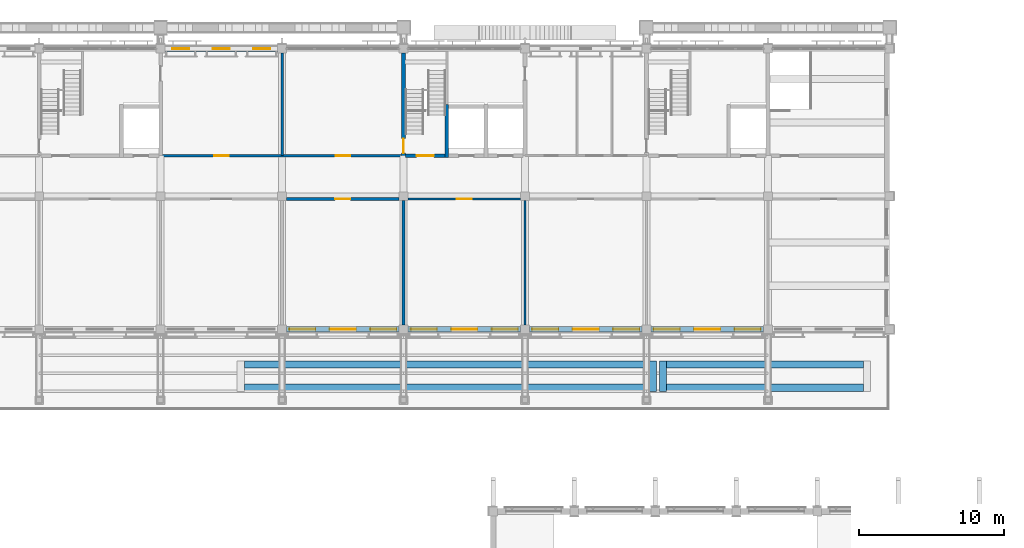
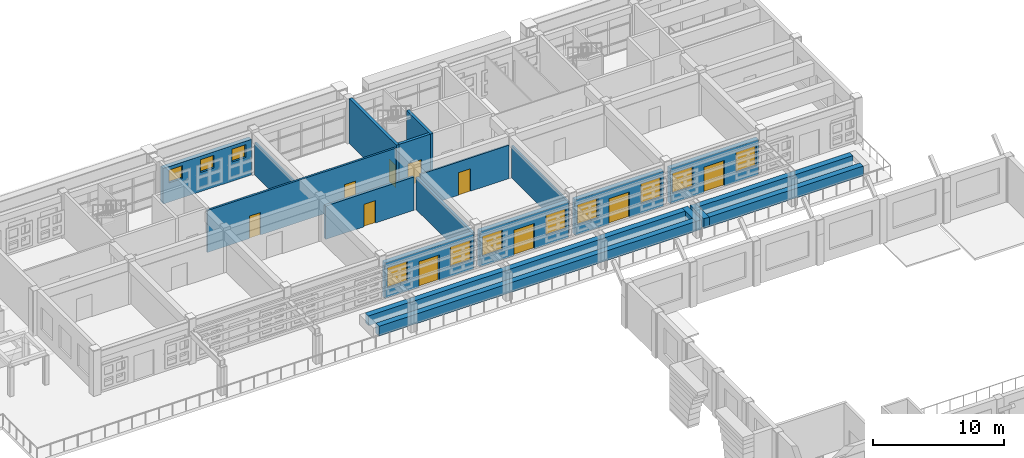
# One storey, part 29 of 68: 20 walls, 11 windows, 10 doors, 21 openings.
"""IFC4 building model written with IfcOpenShell, lengths in metres."""

from ifc_helpers import new_model, si_unit, direction, frame, frame_2d, origin, place, context, subcontext, project, spatial, rectangle, extrude, material, layer, layer_set, type_object, element, fill, save


model = new_model("IFC4")

# Units and contexts
model_context = context("Model", 3, precision=1e-05, world=origin(), true_north=direction((0.0, 1.0)))
body_context = subcontext(model_context, "Body", "Model", "MODEL_VIEW")
ifc_project = project(units=[si_unit("LENGTHUNIT", "METRE"), si_unit("AREAUNIT", "SQUARE_METRE"), si_unit("VOLUMEUNIT", "CUBIC_METRE"), si_unit("PLANEANGLEUNIT", "RADIAN"), si_unit("MASSUNIT", "GRAM", prefix="KILO")], contexts=[model_context])

# Site, building, storey
site_placement = place(None, origin())
site = spatial("IfcSite", under=ifc_project, at=site_placement, CompositionType="ELEMENT")
building_placement = place(site_placement, origin())
building = spatial("IfcBuilding", under=site, at=building_placement, Name="Wasatch Bagh Community Centre", CompositionType="ELEMENT")
storey_placement = place(building_placement, frame((0.0, 0.0, 8.39990234375)))
storey = spatial("IfcBuildingStorey", under=building, at=storey_placement, Name="L02", CompositionType="ELEMENT", Elevation=8.39990234375)

# Wall, opening, door
ifc_material_1 = material(Name="Double stud acoustic partition", Category="Gypsum")
ifc_layer_1 = layer(ifc_material_1, 0.215087890625)
ifc_layer_set_1 = layer_set([ifc_layer_1], Name="Double stud acoustic partition")
wall_type_1 = type_object("IfcWallType", Name="LW acoustic partition 215", PredefinedType="PARTITIONING", material=ifc_layer_set_1)
wall_1_placement = place(storey_placement, frame((97.89990234375, 87.39990234375, 0.0), z_axis=(0.0, 0.0, 1.0), x_axis=(1.0, 0.0, 0.0)))
wall_1 = element("IfcWall", 1, at=wall_1_placement, inside=storey, type_object=wall_type_1, Name="LW.part.L02.001", PredefinedType="PARTITIONING", context=body_context, shape_type="SweptSolid", body=[
    extrude(rectangle(XDim=7.800048828125, YDim=0.215087890625, at=frame_2d((3.89990234375, 0.0))), origin(), (0.0, 0.0, 1.0), 3.1201171875),
])
opening_1_placement = place(wall_1_placement, frame((3.375, 0.0, 0.0)))
opening_1 = element("IfcOpeningElement", 2, at=opening_1_placement, cuts=wall_1, Name="Opening 2L-12", PredefinedType="OPENING", context=body_context, shape_type="SweptSolid", body=[
    extrude(rectangle(XDim=1.050048828125, YDim=2.10009765625, at=frame_2d((0.52490234375, 1.050048828125))), frame((0.0, 0.117431640625, 0.0), z_axis=(0.0, -1.0, 0.0), x_axis=(1.0, 0.0, 0.0)), (0.0, 0.0, 1.0), 0.235107421875),
])
ifc_material_2 = material(Name="Painted timber", Category="wood")
door_type_1 = type_object("IfcDoorType", Name="LW classroom door 1050x2100", OperationType="SINGLE_SWING_LEFT", PredefinedType="DOOR", material=ifc_material_2)
door_1_placement = place(opening_1_placement, origin())
door_1 = element("IfcDoor", 3, at=door_1_placement, inside=storey, type_object=door_type_1, Name="Door Recording Studio 2L-12", OperationType="SINGLE_SWING_RIGHT", OverallHeight=2.10009765625, OverallWidth=1.050048828125, PredefinedType="DOOR", context=body_context, shape_type="SweptSolid", body=[
    extrude(rectangle(XDim=1.050048828125, YDim=2.10009765625, at=frame_2d((0.52490234375, 1.050048828125))), frame((0.0, 0.02490234375, 0.0), z_axis=(0.0, -1.0, 0.0), x_axis=(1.0, 0.0, 0.0)), (0.0, 0.0, 1.0), 0.050048828125),
])
fill(opening_1, door_1)

# Wall
wall_2_placement = place(storey_placement, frame((106.0, 78.699951171875, 0.0), z_axis=(0.0, 0.0, 1.0), x_axis=(0.0, 1.0, 0.0)))
element("IfcWall", 4, at=wall_2_placement, inside=storey, type_object=wall_type_1, Name="LW.part.L02.016", PredefinedType="PARTITIONING", context=body_context, shape_type="SweptSolid", body=[
    extrude(rectangle(XDim=8.60009765625, YDim=0.215087890625, at=frame_2d((4.300048828125, 0.0))), origin(), (0.0, 0.0, 1.0), 3.02001953125),
])

# Wall, opening, door
ifc_material_3 = material(Name="Concrete C40", Category="concrete")
ifc_layer_2 = layer(ifc_material_3, 0.25)
ifc_layer_set_2 = layer_set([ifc_layer_2], Name="Concrete C40")
wall_type_2 = type_object("IfcWallType", Name="LW core wall 250", PredefinedType="SHEAR", material=ifc_layer_set_2)
wall_3_placement = place(storey_placement, frame((106.125, 90.39990234375, 0.0), z_axis=(0.0, 0.0, 1.0), x_axis=(1.0, 0.0, 0.0)))
wall_3 = element("IfcWall", 5, at=wall_3_placement, inside=storey, type_object=wall_type_2, Name="LW.swall.L02.03", PredefinedType="SHEAR", context=body_context, shape_type="SweptSolid", body=[
    extrude(rectangle(XDim=2.75, YDim=0.25, at=frame_2d((1.375, 0.0))), origin(), (0.0, 0.0, 1.0), 4.2001953125),
])
opening_2_placement = place(wall_3_placement, frame((0.77490234375, 0.0, 0.0)))
opening_2 = element("IfcOpeningElement", 6, at=opening_2_placement, cuts=wall_3, Name="Opening 2L-30", PredefinedType="OPENING", context=body_context, shape_type="SweptSolid", body=[
    extrude(rectangle(XDim=1.199951171875, YDim=2.10009765625, at=frame_2d((0.60009765625, 1.050048828125))), frame((0.0, 0.135009765625, 0.0), z_axis=(0.0, -1.0, 0.0), x_axis=(1.0, 0.0, 0.0)), (0.0, 0.0, 1.0), 0.27001953125),
])
door_type_2 = type_object("IfcDoorType", Name="LW stair door 1200x2100", OperationType="SINGLE_SWING_LEFT", PredefinedType="DOOR", material=ifc_material_2)
door_2_placement = place(opening_2_placement, origin())
door_2 = element("IfcDoor", 7, at=door_2_placement, inside=storey, type_object=door_type_2, Name="Stair door 2L-30", OperationType="SINGLE_SWING_RIGHT", OverallHeight=2.10009765625, OverallWidth=1.199951171875, PredefinedType="DOOR", context=body_context, shape_type="SweptSolid", body=[
    extrude(rectangle(XDim=1.199951171875, YDim=2.10009765625, at=frame_2d((0.60009765625, 1.050048828125))), frame((0.0, 0.02490234375, 0.0), z_axis=(0.0, -1.0, 0.0), x_axis=(1.0, 0.0, 0.0)), (0.0, 0.0, 1.0), 0.050048828125),
])
fill(opening_2, door_2)

wall_4_placement = place(storey_placement, frame((106.0, 90.27490234375, 0.0), z_axis=(0.0, 0.0, 1.0), x_axis=(0.0, 1.0, 0.0)))
wall_4 = element("IfcWall", 8, at=wall_4_placement, inside=storey, type_object=wall_type_2, Name="LW.swall.L02.18", PredefinedType="SHEAR", context=body_context, shape_type="SweptSolid", body=[
    extrude(rectangle(XDim=7.22509765625, YDim=0.25, at=frame_2d((3.612548828125, 0.0))), origin(), (0.0, 0.0, 1.0), 4.2001953125),
])
opening_3_placement = place(wall_4_placement, frame((0.300048828125, 0.0, 0.0)))
opening_3 = element("IfcOpeningElement", 9, at=opening_3_placement, cuts=wall_4, Name="Opening 2L-22", PredefinedType="OPENING", context=body_context, shape_type="SweptSolid", body=[
    extrude(rectangle(XDim=1.0, YDim=2.10009765625, at=frame_2d((0.5, 1.050048828125))), frame((0.0, 0.135009765625, 0.0), z_axis=(0.0, -1.0, 0.0), x_axis=(1.0, 0.0, 0.0)), (0.0, 0.0, 1.0), 0.27001953125),
])
door_type_3 = type_object("IfcDoorType", Name="LW door 1000x2100", OperationType="SINGLE_SWING_LEFT", PredefinedType="DOOR", material=ifc_material_2)
door_3_placement = place(opening_3_placement, origin())
door_3 = element("IfcDoor", 10, at=door_3_placement, inside=storey, type_object=door_type_3, Name="Door Quiet Study Room 2L-22", OperationType="SINGLE_SWING_RIGHT", OverallHeight=2.10009765625, OverallWidth=1.0, PredefinedType="DOOR", context=body_context, shape_type="SweptSolid", body=[
    extrude(rectangle(XDim=1.0, YDim=2.10009765625, at=frame_2d((0.5, 1.050048828125))), frame((0.0, 0.02490234375, 0.0), z_axis=(0.0, -1.0, 0.0), x_axis=(1.0, 0.0, 0.0)), (0.0, 0.0, 1.0), 0.050048828125),
])
fill(opening_3, door_3)

# Wall
wall_5_placement = place(storey_placement, frame((109.0, 90.27490234375, 0.0), z_axis=(0.0, 0.0, 1.0), x_axis=(0.0, 1.0, 0.0)))
element("IfcWall", 11, at=wall_5_placement, inside=storey, type_object=wall_type_2, Name="LW.swall.L02.19", PredefinedType="SHEAR", context=body_context, shape_type="SweptSolid", body=[
    extrude(rectangle(XDim=3.650146484375, YDim=0.25, at=frame_2d((1.8251953125, 0.0))), origin(), (0.0, 0.0, 1.0), 4.2001953125),
])

# Wall, openings, door, windows
ifc_material_4 = material(Name="Concrete C35", Category="concrete")
ifc_layer_3 = layer(ifc_material_4, 0.39990234375)
ifc_layer_set_3 = layer_set([ifc_layer_3], Name="Concrete C35")
wall_type_3 = type_object("IfcWallType", Name="LW facade wall 400", PredefinedType="SOLIDWALL", material=ifc_layer_set_3)
wall_6_placement = place(storey_placement, frame((97.89990234375, 78.39990234375, 0.0), z_axis=(0.0, 0.0, 1.0), x_axis=(1.0, 0.0, 0.0)))
wall_6 = element("IfcWall", 12, at=wall_6_placement, inside=storey, type_object=wall_type_3, Name="Facade wall", PredefinedType="SOLIDWALL", context=body_context, shape_type="SweptSolid", body=[
    extrude(rectangle(XDim=7.800048828125, YDim=0.39990234375, at=frame_2d((3.89990234375, 0.0))), origin(), (0.0, 0.0, 1.0), 3.320068359375),
])
opening_4_placement = place(wall_6_placement, frame((3.0, 0.0, 0.0)))
opening_4 = element("IfcOpeningElement", 13, at=opening_4_placement, cuts=wall_6, Name="Opening 2L-04", PredefinedType="OPENING", context=body_context, shape_type="SweptSolid", body=[
    extrude(rectangle(XDim=1.800048828125, YDim=2.39990234375, at=frame_2d((0.89990234375, 1.199951171875))), frame((0.0, 0.2099609375, 0.0), z_axis=(0.0, -1.0, 0.0), x_axis=(1.0, 0.0, 0.0)), (0.0, 0.0, 1.0), 0.419921875),
])
opening_5_placement = place(wall_6_placement, frame((0.199951171875, 0.0, 0.89990234375)))
opening_5 = element("IfcOpeningElement", 14, at=opening_5_placement, cuts=wall_6, Name="Opening 2L-W007", PredefinedType="OPENING", context=body_context, shape_type="SweptSolid", body=[
    extrude(rectangle(XDim=1.800048828125, YDim=1.89990234375, at=frame_2d((0.89990234375, 0.949951171875))), frame((0.0, 0.2099609375, 0.0), z_axis=(0.0, -1.0, 0.0), x_axis=(1.0, 0.0, 0.0)), (0.0, 0.0, 1.0), 0.419921875),
])
opening_6_placement = place(wall_6_placement, frame((5.800048828125, 0.0, 0.89990234375)))
opening_6 = element("IfcOpeningElement", 15, at=opening_6_placement, cuts=wall_6, Name="Opening 2L-W008", PredefinedType="OPENING", context=body_context, shape_type="SweptSolid", body=[
    extrude(rectangle(XDim=1.800048828125, YDim=1.89990234375, at=frame_2d((0.89990234375, 0.949951171875))), frame((0.0, 0.2099609375, 0.0), z_axis=(0.0, -1.0, 0.0), x_axis=(1.0, 0.0, 0.0)), (0.0, 0.0, 1.0), 0.419921875),
])
ifc_material_5 = material(Name="Aluminium framed glazed door", Category="aluminium")
door_type_4 = type_object("IfcDoorType", Name="LW terrace door pair 1800x2400", OperationType="DOUBLE_DOOR_SINGLE_SWING", PredefinedType="DOOR", material=ifc_material_5)
door_4_placement = place(opening_4_placement, origin())
door_4 = element("IfcDoor", 16, at=door_4_placement, inside=storey, type_object=door_type_4, Name="Terrace door 2L-04", OperationType="DOUBLE_DOOR_SINGLE_SWING", OverallHeight=2.39990234375, OverallWidth=1.800048828125, PredefinedType="DOOR", context=body_context, shape_type="SweptSolid", body=[
    extrude(rectangle(XDim=1.800048828125, YDim=2.39990234375, at=frame_2d((0.89990234375, 1.199951171875))), frame((0.0, 0.02490234375, 0.0), z_axis=(0.0, -1.0, 0.0), x_axis=(1.0, 0.0, 0.0)), (0.0, 0.0, 1.0), 0.050048828125),
])
fill(opening_4, door_4)
ifc_material_6 = material(Name="Aluminium framed double glazing", Category="aluminium")
window_type_1 = type_object("IfcWindowType", Name="LW window 1800x1900", PartitioningType="SINGLE_PANEL", PredefinedType="WINDOW", material=ifc_material_6)
window_1_placement = place(opening_5_placement, origin())
window_1 = element("IfcWindow", 17, at=window_1_placement, inside=storey, type_object=window_type_1, Name="Window 2L-W007", OverallHeight=1.89990234375, OverallWidth=1.800048828125, PartitioningType="SINGLE_PANEL", PredefinedType="WINDOW", context=body_context, shape_type="SweptSolid", body=[
    extrude(rectangle(XDim=1.800048828125, YDim=1.89990234375, at=frame_2d((0.89990234375, 0.949951171875))), frame((0.0, 0.030029296875, 0.0), z_axis=(0.0, -1.0, 0.0), x_axis=(1.0, 0.0, 0.0)), (0.0, 0.0, 1.0), 0.06005859375),
])
fill(opening_5, window_1)
window_2_placement = place(opening_6_placement, origin())
window_2 = element("IfcWindow", 18, at=window_2_placement, inside=storey, type_object=window_type_1, Name="Window 2L-W008", OverallHeight=1.89990234375, OverallWidth=1.800048828125, PartitioningType="SINGLE_PANEL", PredefinedType="WINDOW", context=body_context, shape_type="SweptSolid", body=[
    extrude(rectangle(XDim=1.800048828125, YDim=1.89990234375, at=frame_2d((0.89990234375, 0.949951171875))), frame((0.0, 0.030029296875, 0.0), z_axis=(0.0, -1.0, 0.0), x_axis=(1.0, 0.0, 0.0)), (0.0, 0.0, 1.0), 0.06005859375),
])
fill(opening_6, window_2)

wall_7_placement = place(storey_placement, frame((106.300048828125, 78.39990234375, 0.0), z_axis=(0.0, 0.0, 1.0), x_axis=(1.0, 0.0, 0.0)))
wall_7 = element("IfcWall", 19, at=wall_7_placement, inside=storey, type_object=wall_type_3, Name="Facade wall", PredefinedType="SOLIDWALL", context=body_context, shape_type="SweptSolid", body=[
    extrude(rectangle(XDim=7.800048828125, YDim=0.39990234375, at=frame_2d((3.89990234375, 0.0))), origin(), (0.0, 0.0, 1.0), 3.320068359375),
])
opening_7_placement = place(wall_7_placement, frame((3.0, 0.0, 0.0)))
opening_7 = element("IfcOpeningElement", 20, at=opening_7_placement, cuts=wall_7, Name="Opening 2L-05", PredefinedType="OPENING", context=body_context, shape_type="SweptSolid", body=[
    extrude(rectangle(XDim=1.800048828125, YDim=2.39990234375, at=frame_2d((0.89990234375, 1.199951171875))), frame((0.0, 0.2099609375, 0.0), z_axis=(0.0, -1.0, 0.0), x_axis=(1.0, 0.0, 0.0)), (0.0, 0.0, 1.0), 0.419921875),
])
opening_8_placement = place(wall_7_placement, frame((0.199951171875, 0.0, 0.89990234375)))
opening_8 = element("IfcOpeningElement", 21, at=opening_8_placement, cuts=wall_7, Name="Opening 2L-W009", PredefinedType="OPENING", context=body_context, shape_type="SweptSolid", body=[
    extrude(rectangle(XDim=1.800048828125, YDim=1.89990234375, at=frame_2d((0.89990234375, 0.949951171875))), frame((0.0, 0.2099609375, 0.0), z_axis=(0.0, -1.0, 0.0), x_axis=(1.0, 0.0, 0.0)), (0.0, 0.0, 1.0), 0.419921875),
])
opening_9_placement = place(wall_7_placement, frame((5.800048828125, 0.0, 0.89990234375)))
opening_9 = element("IfcOpeningElement", 22, at=opening_9_placement, cuts=wall_7, Name="Opening 2L-W010", PredefinedType="OPENING", context=body_context, shape_type="SweptSolid", body=[
    extrude(rectangle(XDim=1.800048828125, YDim=1.89990234375, at=frame_2d((0.89990234375, 0.949951171875))), frame((0.0, 0.2099609375, 0.0), z_axis=(0.0, -1.0, 0.0), x_axis=(1.0, 0.0, 0.0)), (0.0, 0.0, 1.0), 0.419921875),
])
door_5_placement = place(opening_7_placement, origin())
door_5 = element("IfcDoor", 23, at=door_5_placement, inside=storey, type_object=door_type_4, Name="Terrace door 2L-05", OperationType="DOUBLE_DOOR_SINGLE_SWING", OverallHeight=2.39990234375, OverallWidth=1.800048828125, PredefinedType="DOOR", context=body_context, shape_type="SweptSolid", body=[
    extrude(rectangle(XDim=1.800048828125, YDim=2.39990234375, at=frame_2d((0.89990234375, 1.199951171875))), frame((0.0, 0.02490234375, 0.0), z_axis=(0.0, -1.0, 0.0), x_axis=(1.0, 0.0, 0.0)), (0.0, 0.0, 1.0), 0.050048828125),
])
fill(opening_7, door_5)
window_3_placement = place(opening_8_placement, origin())
window_3 = element("IfcWindow", 24, at=window_3_placement, inside=storey, type_object=window_type_1, Name="Window 2L-W009", OverallHeight=1.89990234375, OverallWidth=1.800048828125, PartitioningType="SINGLE_PANEL", PredefinedType="WINDOW", context=body_context, shape_type="SweptSolid", body=[
    extrude(rectangle(XDim=1.800048828125, YDim=1.89990234375, at=frame_2d((0.89990234375, 0.949951171875))), frame((0.0, 0.030029296875, 0.0), z_axis=(0.0, -1.0, 0.0), x_axis=(1.0, 0.0, 0.0)), (0.0, 0.0, 1.0), 0.06005859375),
])
fill(opening_8, window_3)
window_4_placement = place(opening_9_placement, origin())
window_4 = element("IfcWindow", 25, at=window_4_placement, inside=storey, type_object=window_type_1, Name="Window 2L-W010", OverallHeight=1.89990234375, OverallWidth=1.800048828125, PartitioningType="SINGLE_PANEL", PredefinedType="WINDOW", context=body_context, shape_type="SweptSolid", body=[
    extrude(rectangle(XDim=1.800048828125, YDim=1.89990234375, at=frame_2d((0.89990234375, 0.949951171875))), frame((0.0, 0.030029296875, 0.0), z_axis=(0.0, -1.0, 0.0), x_axis=(1.0, 0.0, 0.0)), (0.0, 0.0, 1.0), 0.06005859375),
])
fill(opening_9, window_4)

wall_8_placement = place(storey_placement, frame((114.699951171875, 78.39990234375, 0.0), z_axis=(0.0, 0.0, 1.0), x_axis=(1.0, 0.0, 0.0)))
wall_8 = element("IfcWall", 26, at=wall_8_placement, inside=storey, type_object=wall_type_3, Name="Facade wall", PredefinedType="SOLIDWALL", context=body_context, shape_type="SweptSolid", body=[
    extrude(rectangle(XDim=7.800048828125, YDim=0.39990234375, at=frame_2d((3.89990234375, 0.0))), origin(), (0.0, 0.0, 1.0), 3.320068359375),
])
opening_10_placement = place(wall_8_placement, frame((3.0, 0.0, 0.0)))
opening_10 = element("IfcOpeningElement", 27, at=opening_10_placement, cuts=wall_8, Name="Opening 2L-06", PredefinedType="OPENING", context=body_context, shape_type="SweptSolid", body=[
    extrude(rectangle(XDim=1.800048828125, YDim=2.39990234375, at=frame_2d((0.89990234375, 1.199951171875))), frame((0.0, 0.2099609375, 0.0), z_axis=(0.0, -1.0, 0.0), x_axis=(1.0, 0.0, 0.0)), (0.0, 0.0, 1.0), 0.419921875),
])
opening_11_placement = place(wall_8_placement, frame((0.199951171875, 0.0, 0.89990234375)))
opening_11 = element("IfcOpeningElement", 28, at=opening_11_placement, cuts=wall_8, Name="Opening 2L-W011", PredefinedType="OPENING", context=body_context, shape_type="SweptSolid", body=[
    extrude(rectangle(XDim=1.800048828125, YDim=1.89990234375, at=frame_2d((0.89990234375, 0.949951171875))), frame((0.0, 0.2099609375, 0.0), z_axis=(0.0, -1.0, 0.0), x_axis=(1.0, 0.0, 0.0)), (0.0, 0.0, 1.0), 0.419921875),
])
opening_12_placement = place(wall_8_placement, frame((5.800048828125, 0.0, 0.89990234375)))
opening_12 = element("IfcOpeningElement", 29, at=opening_12_placement, cuts=wall_8, Name="Opening 2L-W012", PredefinedType="OPENING", context=body_context, shape_type="SweptSolid", body=[
    extrude(rectangle(XDim=1.800048828125, YDim=1.89990234375, at=frame_2d((0.89990234375, 0.949951171875))), frame((0.0, 0.2099609375, 0.0), z_axis=(0.0, -1.0, 0.0), x_axis=(1.0, 0.0, 0.0)), (0.0, 0.0, 1.0), 0.419921875),
])
door_6_placement = place(opening_10_placement, origin())
door_6 = element("IfcDoor", 30, at=door_6_placement, inside=storey, type_object=door_type_4, Name="Terrace door 2L-06", OperationType="DOUBLE_DOOR_SINGLE_SWING", OverallHeight=2.39990234375, OverallWidth=1.800048828125, PredefinedType="DOOR", context=body_context, shape_type="SweptSolid", body=[
    extrude(rectangle(XDim=1.800048828125, YDim=2.39990234375, at=frame_2d((0.89990234375, 1.199951171875))), frame((0.0, 0.02490234375, 0.0), z_axis=(0.0, -1.0, 0.0), x_axis=(1.0, 0.0, 0.0)), (0.0, 0.0, 1.0), 0.050048828125),
])
fill(opening_10, door_6)
window_5_placement = place(opening_11_placement, origin())
window_5 = element("IfcWindow", 31, at=window_5_placement, inside=storey, type_object=window_type_1, Name="Window 2L-W011", OverallHeight=1.89990234375, OverallWidth=1.800048828125, PartitioningType="SINGLE_PANEL", PredefinedType="WINDOW", context=body_context, shape_type="SweptSolid", body=[
    extrude(rectangle(XDim=1.800048828125, YDim=1.89990234375, at=frame_2d((0.89990234375, 0.949951171875))), frame((0.0, 0.030029296875, 0.0), z_axis=(0.0, -1.0, 0.0), x_axis=(1.0, 0.0, 0.0)), (0.0, 0.0, 1.0), 0.06005859375),
])
fill(opening_11, window_5)
window_6_placement = place(opening_12_placement, origin())
window_6 = element("IfcWindow", 32, at=window_6_placement, inside=storey, type_object=window_type_1, Name="Window 2L-W012", OverallHeight=1.89990234375, OverallWidth=1.800048828125, PartitioningType="SINGLE_PANEL", PredefinedType="WINDOW", context=body_context, shape_type="SweptSolid", body=[
    extrude(rectangle(XDim=1.800048828125, YDim=1.89990234375, at=frame_2d((0.89990234375, 0.949951171875))), frame((0.0, 0.030029296875, 0.0), z_axis=(0.0, -1.0, 0.0), x_axis=(1.0, 0.0, 0.0)), (0.0, 0.0, 1.0), 0.06005859375),
])
fill(opening_12, window_6)

wall_9_placement = place(storey_placement, frame((123.10009765625, 78.39990234375, 0.0), z_axis=(0.0, 0.0, 1.0), x_axis=(1.0, 0.0, 0.0)))
wall_9 = element("IfcWall", 33, at=wall_9_placement, inside=storey, type_object=wall_type_3, Name="Facade wall", PredefinedType="SOLIDWALL", context=body_context, shape_type="SweptSolid", body=[
    extrude(rectangle(XDim=7.7998046875, YDim=0.39990234375, at=frame_2d((3.89990234375, 0.0))), origin(), (0.0, 0.0, 1.0), 3.320068359375),
])
opening_13_placement = place(wall_9_placement, frame((3.0, 0.0, 0.0)))
opening_13 = element("IfcOpeningElement", 34, at=opening_13_placement, cuts=wall_9, Name="Opening 2L-07", PredefinedType="OPENING", context=body_context, shape_type="SweptSolid", body=[
    extrude(rectangle(XDim=1.800048828125, YDim=2.39990234375, at=frame_2d((0.89990234375, 1.199951171875))), frame((0.0, 0.2099609375, 0.0), z_axis=(0.0, -1.0, 0.0), x_axis=(1.0, 0.0, 0.0)), (0.0, 0.0, 1.0), 0.419921875),
])
opening_14_placement = place(wall_9_placement, frame((0.199951171875, 0.0, 0.89990234375)))
opening_14 = element("IfcOpeningElement", 35, at=opening_14_placement, cuts=wall_9, Name="Opening 2L-W013", PredefinedType="OPENING", context=body_context, shape_type="SweptSolid", body=[
    extrude(rectangle(XDim=1.800048828125, YDim=1.89990234375, at=frame_2d((0.89990234375, 0.949951171875))), frame((0.0, 0.2099609375, 0.0), z_axis=(0.0, -1.0, 0.0), x_axis=(1.0, 0.0, 0.0)), (0.0, 0.0, 1.0), 0.419921875),
])
opening_15_placement = place(wall_9_placement, frame((5.800048828125, 0.0, 0.89990234375)))
opening_15 = element("IfcOpeningElement", 36, at=opening_15_placement, cuts=wall_9, Name="Opening 2L-W014", PredefinedType="OPENING", context=body_context, shape_type="SweptSolid", body=[
    extrude(rectangle(XDim=1.800048828125, YDim=1.89990234375, at=frame_2d((0.89990234375, 0.949951171875))), frame((0.0, 0.2099609375, 0.0), z_axis=(0.0, -1.0, 0.0), x_axis=(1.0, 0.0, 0.0)), (0.0, 0.0, 1.0), 0.419921875),
])
door_7_placement = place(opening_13_placement, origin())
door_7 = element("IfcDoor", 37, at=door_7_placement, inside=storey, type_object=door_type_4, Name="Terrace door 2L-07", OperationType="DOUBLE_DOOR_SINGLE_SWING", OverallHeight=2.39990234375, OverallWidth=1.800048828125, PredefinedType="DOOR", context=body_context, shape_type="SweptSolid", body=[
    extrude(rectangle(XDim=1.800048828125, YDim=2.39990234375, at=frame_2d((0.89990234375, 1.199951171875))), frame((0.0, 0.02490234375, 0.0), z_axis=(0.0, -1.0, 0.0), x_axis=(1.0, 0.0, 0.0)), (0.0, 0.0, 1.0), 0.050048828125),
])
fill(opening_13, door_7)
window_7_placement = place(opening_14_placement, origin())
window_7 = element("IfcWindow", 38, at=window_7_placement, inside=storey, type_object=window_type_1, Name="Window 2L-W013", OverallHeight=1.89990234375, OverallWidth=1.800048828125, PartitioningType="SINGLE_PANEL", PredefinedType="WINDOW", context=body_context, shape_type="SweptSolid", body=[
    extrude(rectangle(XDim=1.800048828125, YDim=1.89990234375, at=frame_2d((0.89990234375, 0.949951171875))), frame((0.0, 0.030029296875, 0.0), z_axis=(0.0, -1.0, 0.0), x_axis=(1.0, 0.0, 0.0)), (0.0, 0.0, 1.0), 0.06005859375),
])
fill(opening_14, window_7)
window_8_placement = place(opening_15_placement, origin())
window_8 = element("IfcWindow", 39, at=window_8_placement, inside=storey, type_object=window_type_1, Name="Window 2L-W014", OverallHeight=1.89990234375, OverallWidth=1.800048828125, PartitioningType="SINGLE_PANEL", PredefinedType="WINDOW", context=body_context, shape_type="SweptSolid", body=[
    extrude(rectangle(XDim=1.800048828125, YDim=1.89990234375, at=frame_2d((0.89990234375, 0.949951171875))), frame((0.0, 0.030029296875, 0.0), z_axis=(0.0, -1.0, 0.0), x_axis=(1.0, 0.0, 0.0)), (0.0, 0.0, 1.0), 0.06005859375),
])
fill(opening_15, window_8)

# Wall, openings, windows
wall_10_placement = place(storey_placement, frame((89.5, 97.800048828125, 0.0), z_axis=(0.0, 0.0, 1.0), x_axis=(1.0, 0.0, 0.0)))
wall_10 = element("IfcWall", 40, at=wall_10_placement, inside=storey, type_object=wall_type_3, Name="Facade wall", PredefinedType="SOLIDWALL", context=body_context, shape_type="SweptSolid", body=[
    extrude(rectangle(XDim=7.800048828125, YDim=0.39990234375, at=frame_2d((3.89990234375, 0.0))), origin(), (0.0, 0.0, 1.0), 3.320068359375),
])
opening_16_placement = place(wall_10_placement, frame((0.5, 0.0, 1.800048828125)))
opening_16 = element("IfcOpeningElement", 41, at=opening_16_placement, cuts=wall_10, Name="Opening 2L-W020", PredefinedType="OPENING", context=body_context, shape_type="SweptSolid", body=[
    extrude(rectangle(XDim=1.199951171875, YDim=1.199951171875, at=frame_2d((0.60009765625, 0.60009765625))), frame((0.0, 0.2099609375, 0.0), z_axis=(0.0, -1.0, 0.0), x_axis=(1.0, 0.0, 0.0)), (0.0, 0.0, 1.0), 0.419921875),
])
opening_17_placement = place(wall_10_placement, frame((3.300048828125, 0.0, 1.800048828125)))
opening_17 = element("IfcOpeningElement", 42, at=opening_17_placement, cuts=wall_10, Name="Opening 2L-W021", PredefinedType="OPENING", context=body_context, shape_type="SweptSolid", body=[
    extrude(rectangle(XDim=1.199951171875, YDim=1.199951171875, at=frame_2d((0.60009765625, 0.60009765625))), frame((0.0, 0.2099609375, 0.0), z_axis=(0.0, -1.0, 0.0), x_axis=(1.0, 0.0, 0.0)), (0.0, 0.0, 1.0), 0.419921875),
])
opening_18_placement = place(wall_10_placement, frame((6.10009765625, 0.0, 1.800048828125)))
opening_18 = element("IfcOpeningElement", 43, at=opening_18_placement, cuts=wall_10, Name="Opening 2L-W022", PredefinedType="OPENING", context=body_context, shape_type="SweptSolid", body=[
    extrude(rectangle(XDim=1.199951171875, YDim=1.199951171875, at=frame_2d((0.60009765625, 0.60009765625))), frame((0.0, 0.2099609375, 0.0), z_axis=(0.0, -1.0, 0.0), x_axis=(1.0, 0.0, 0.0)), (0.0, 0.0, 1.0), 0.419921875),
])
window_type_2 = type_object("IfcWindowType", Name="LW archive window 1200x1200", PartitioningType="SINGLE_PANEL", PredefinedType="WINDOW", material=ifc_material_6)
window_9_placement = place(opening_16_placement, origin())
window_9 = element("IfcWindow", 44, at=window_9_placement, inside=storey, type_object=window_type_2, Name="Window 2L-W020", OverallHeight=1.199951171875, OverallWidth=1.199951171875, PartitioningType="SINGLE_PANEL", PredefinedType="WINDOW", context=body_context, shape_type="SweptSolid", body=[
    extrude(rectangle(XDim=1.199951171875, YDim=1.199951171875, at=frame_2d((0.60009765625, 0.60009765625))), frame((0.0, 0.030029296875, 0.0), z_axis=(0.0, -1.0, 0.0), x_axis=(1.0, 0.0, 0.0)), (0.0, 0.0, 1.0), 0.06005859375),
])
fill(opening_16, window_9)
window_10_placement = place(opening_17_placement, origin())
window_10 = element("IfcWindow", 45, at=window_10_placement, inside=storey, type_object=window_type_2, Name="Window 2L-W021", OverallHeight=1.199951171875, OverallWidth=1.199951171875, PartitioningType="SINGLE_PANEL", PredefinedType="WINDOW", context=body_context, shape_type="SweptSolid", body=[
    extrude(rectangle(XDim=1.199951171875, YDim=1.199951171875, at=frame_2d((0.60009765625, 0.60009765625))), frame((0.0, 0.030029296875, 0.0), z_axis=(0.0, -1.0, 0.0), x_axis=(1.0, 0.0, 0.0)), (0.0, 0.0, 1.0), 0.06005859375),
])
fill(opening_17, window_10)
window_11_placement = place(opening_18_placement, origin())
window_11 = element("IfcWindow", 46, at=window_11_placement, inside=storey, type_object=window_type_2, Name="Window 2L-W022", OverallHeight=1.199951171875, OverallWidth=1.199951171875, PartitioningType="SINGLE_PANEL", PredefinedType="WINDOW", context=body_context, shape_type="SweptSolid", body=[
    extrude(rectangle(XDim=1.199951171875, YDim=1.199951171875, at=frame_2d((0.60009765625, 0.60009765625))), frame((0.0, 0.030029296875, 0.0), z_axis=(0.0, -1.0, 0.0), x_axis=(1.0, 0.0, 0.0)), (0.0, 0.0, 1.0), 0.06005859375),
])
fill(opening_18, window_11)

# Wall, openings, doors
ifc_material_7 = material(Name="Dense blockwork acoustic partition", Category="masonry")
ifc_layer_4 = layer(ifc_material_7, 0.175048828125)
ifc_layer_set_4 = layer_set([ifc_layer_4], Name="Dense blockwork acoustic partition")
wall_type_4 = type_object("IfcWallType", Name="LW library partition 175", PredefinedType="PARTITIONING", material=ifc_layer_set_4)
wall_11_placement = place(storey_placement, frame((89.199951171875, 90.39990234375, 0.0), z_axis=(0.0, 0.0, 1.0), x_axis=(1.0, 0.0, 0.0)))
wall_11 = element("IfcWall", 47, at=wall_11_placement, inside=storey, type_object=wall_type_4, Name="LW.part.L02.009", PredefinedType="PARTITIONING", context=body_context, shape_type="SweptSolid", body=[
    extrude(rectangle(XDim=16.800048828125, YDim=0.175048828125, at=frame_2d((8.39990234375, 0.0))), origin(), (0.0, 0.0, 1.0), 3.920166015625),
])
opening_19_placement = place(wall_11_placement, frame((3.699951171875, 0.0, 0.0)))
opening_19 = element("IfcOpeningElement", 48, at=opening_19_placement, cuts=wall_11, Name="Opening 2L-19", PredefinedType="OPENING", context=body_context, shape_type="SweptSolid", body=[
    extrude(rectangle(XDim=1.0, YDim=2.10009765625, at=frame_2d((0.5, 1.050048828125))), frame((0.0, 0.097412109375, 0.0), z_axis=(0.0, -1.0, 0.0), x_axis=(1.0, 0.0, 0.0)), (0.0, 0.0, 1.0), 0.195068359375),
])
opening_20_placement = place(wall_11_placement, frame((12.10009765625, 0.0, 0.0)))
opening_20 = element("IfcOpeningElement", 49, at=opening_20_placement, cuts=wall_11, Name="Opening 2L-21", PredefinedType="OPENING", context=body_context, shape_type="SweptSolid", body=[
    extrude(rectangle(XDim=1.0, YDim=2.10009765625, at=frame_2d((0.5, 1.050048828125))), frame((0.0, 0.097412109375, 0.0), z_axis=(0.0, -1.0, 0.0), x_axis=(1.0, 0.0, 0.0)), (0.0, 0.0, 1.0), 0.195068359375),
])
door_8_placement = place(opening_19_placement, origin())
door_8 = element("IfcDoor", 50, at=door_8_placement, inside=storey, type_object=door_type_3, Name="Door Local History Archive 2L-19", OperationType="SINGLE_SWING_LEFT", OverallHeight=2.10009765625, OverallWidth=1.0, PredefinedType="DOOR", context=body_context, shape_type="SweptSolid", body=[
    extrude(rectangle(XDim=1.0, YDim=2.10009765625, at=frame_2d((0.5, 1.050048828125))), frame((0.0, 0.02490234375, 0.0), z_axis=(0.0, -1.0, 0.0), x_axis=(1.0, 0.0, 0.0)), (0.0, 0.0, 1.0), 0.050048828125),
])
fill(opening_19, door_8)
door_9_placement = place(opening_20_placement, origin())
door_9 = element("IfcDoor", 51, at=door_9_placement, inside=storey, type_object=door_type_3, Name="Door Quiet Study Room 2L-21", OperationType="SINGLE_SWING_LEFT", OverallHeight=2.10009765625, OverallWidth=1.0, PredefinedType="DOOR", context=body_context, shape_type="SweptSolid", body=[
    extrude(rectangle(XDim=1.0, YDim=2.10009765625, at=frame_2d((0.5, 1.050048828125))), frame((0.0, 0.02490234375, 0.0), z_axis=(0.0, -1.0, 0.0), x_axis=(1.0, 0.0, 0.0)), (0.0, 0.0, 1.0), 0.050048828125),
])
fill(opening_20, door_9)

# Wall
wall_12_placement = place(storey_placement, frame((97.60009765625, 90.39990234375, 0.0), z_axis=(0.0, 0.0, 1.0), x_axis=(0.0, 1.0, 0.0)))
element("IfcWall", 52, at=wall_12_placement, inside=storey, type_object=wall_type_4, Name="LW.part.L02.015", PredefinedType="PARTITIONING", context=body_context, shape_type="SweptSolid", body=[
    extrude(rectangle(XDim=7.10009765625, YDim=0.175048828125, at=frame_2d((3.550048828125, 0.0))), origin(), (0.0, 0.0, 1.0), 3.02001953125),
])

# Wall, opening, door
ifc_material_8 = material(Name="Gypsum board on steel studs", Category="steel")
ifc_layer_5 = layer(ifc_material_8, 0.14990234375)
ifc_layer_set_5 = layer_set([ifc_layer_5], Name="Gypsum board on steel studs")
wall_type_5 = type_object("IfcWallType", Name="LW partition 150", PredefinedType="PARTITIONING", material=ifc_layer_set_5)
wall_13_placement = place(storey_placement, frame((106.300048828125, 87.39990234375, 0.0), z_axis=(0.0, 0.0, 1.0), x_axis=(1.0, 0.0, 0.0)))
wall_13 = element("IfcWall", 53, at=wall_13_placement, inside=storey, type_object=wall_type_5, Name="LW.part.L02.002", PredefinedType="PARTITIONING", context=body_context, shape_type="SweptSolid", body=[
    extrude(rectangle(XDim=7.800048828125, YDim=0.14990234375, at=frame_2d((3.89990234375, 0.0))), origin(), (0.0, 0.0, 1.0), 3.1201171875),
])
opening_21_placement = place(wall_13_placement, frame((3.375, 0.0, 0.0)))
opening_21 = element("IfcOpeningElement", 54, at=opening_21_placement, cuts=wall_13, Name="Opening 2L-13", PredefinedType="OPENING", context=body_context, shape_type="SweptSolid", body=[
    extrude(rectangle(XDim=1.050048828125, YDim=2.10009765625, at=frame_2d((0.52490234375, 1.050048828125))), frame((0.0, 0.0849609375, 0.0), z_axis=(0.0, -1.0, 0.0), x_axis=(1.0, 0.0, 0.0)), (0.0, 0.0, 1.0), 0.169921875),
])
door_10_placement = place(opening_21_placement, origin())
door_10 = element("IfcDoor", 55, at=door_10_placement, inside=storey, type_object=door_type_1, Name="Door Seminar Room 1 2L-13", OperationType="SINGLE_SWING_LEFT", OverallHeight=2.10009765625, OverallWidth=1.050048828125, PredefinedType="DOOR", context=body_context, shape_type="SweptSolid", body=[
    extrude(rectangle(XDim=1.050048828125, YDim=2.10009765625, at=frame_2d((0.52490234375, 1.050048828125))), frame((0.0, 0.02490234375, 0.0), z_axis=(0.0, -1.0, 0.0), x_axis=(1.0, 0.0, 0.0)), (0.0, 0.0, 1.0), 0.050048828125),
])
fill(opening_21, door_10)

# Walls
wall_14_placement = place(storey_placement, frame((114.39990234375, 78.699951171875, 0.0), z_axis=(0.0, 0.0, 1.0), x_axis=(0.0, 1.0, 0.0)))
element("IfcWall", 56, at=wall_14_placement, inside=storey, type_object=wall_type_5, Name="LW.part.L02.017", PredefinedType="PARTITIONING", context=body_context, shape_type="SweptSolid", body=[
    extrude(rectangle(XDim=8.60009765625, YDim=0.14990234375, at=frame_2d((4.300048828125, 0.0))), origin(), (0.0, 0.0, 1.0), 3.02001953125),
])
ifc_layer_6 = layer(ifc_material_4, 0.5)
ifc_layer_set_6 = layer_set([ifc_layer_6], Name="Concrete C35")
wall_type_6 = type_object("IfcWallType", Name="LW planter trough wall 500", PredefinedType="SOLIDWALL", material=ifc_layer_set_6)
for number, where, z_axis, x_axis, name in (
    (57, (95.0, 74.35009765625, 0.0), (0.0, 0.0, 1.0), (1.0, 0.0, 0.0), "Planter wall T2"),
    (58, (95.0, 75.949951171875, 0.0), (0.0, 0.0, 1.0), (1.0, 0.0, 0.0), "Planter wall T2"),
):
    element("IfcWall", number, at=place(storey_placement, frame(where, z_axis=z_axis, x_axis=x_axis)), inside=storey, type_object=wall_type_6, Name=name, PredefinedType="SOLIDWALL", context=body_context, shape_type="SweptSolid", body=[
        extrude(rectangle(XDim=28.0, YDim=0.5, at=frame_2d((14.0, 0.0))), origin(), (0.0, 0.0, 1.0), 0.900146484375),
    ])
wall_15_placement = place(storey_placement, frame((123.25, 74.10009765625, 0.0), z_axis=(0.0, 0.0, 1.0), x_axis=(0.0, 1.0, 0.0)))
element("IfcWall", 59, at=wall_15_placement, inside=storey, type_object=wall_type_6, Name="Planter wall T2", PredefinedType="SOLIDWALL", context=body_context, shape_type="SweptSolid", body=[
    extrude(rectangle(XDim=2.099853515625, YDim=0.5, at=frame_2d((1.0498046875, 0.0))), origin(), (0.0, 0.0, 1.0), 0.900146484375),
])
for number, where, z_axis, x_axis, name in (
    (60, (124.199951171875, 74.35009765625, 0.0), (0.0, 0.0, 1.0), (1.0, 0.0, 0.0), "Planter wall T2"),
    (61, (124.199951171875, 75.949951171875, 0.0), (0.0, 0.0, 1.0), (1.0, 0.0, 0.0), "Planter wall T2"),
):
    element("IfcWall", number, at=place(storey_placement, frame(where, z_axis=z_axis, x_axis=x_axis)), inside=storey, type_object=wall_type_6, Name=name, PredefinedType="SOLIDWALL", context=body_context, shape_type="SweptSolid", body=[
        extrude(rectangle(XDim=13.60009765625, YDim=0.5, at=frame_2d((6.800048828125, 0.0))), origin(), (0.0, 0.0, 1.0), 0.900146484375),
    ])
wall_16_placement = place(storey_placement, frame((123.949951171875, 74.10009765625, 0.0), z_axis=(0.0, 0.0, 1.0), x_axis=(0.0, 1.0, 0.0)))
element("IfcWall", 62, at=wall_16_placement, inside=storey, type_object=wall_type_6, Name="Planter wall T2", PredefinedType="SOLIDWALL", context=body_context, shape_type="SweptSolid", body=[
    extrude(rectangle(XDim=2.099853515625, YDim=0.5, at=frame_2d((1.0498046875, 0.0))), origin(), (0.0, 0.0, 1.0), 0.900146484375),
])

save(model, "model.ifc")
